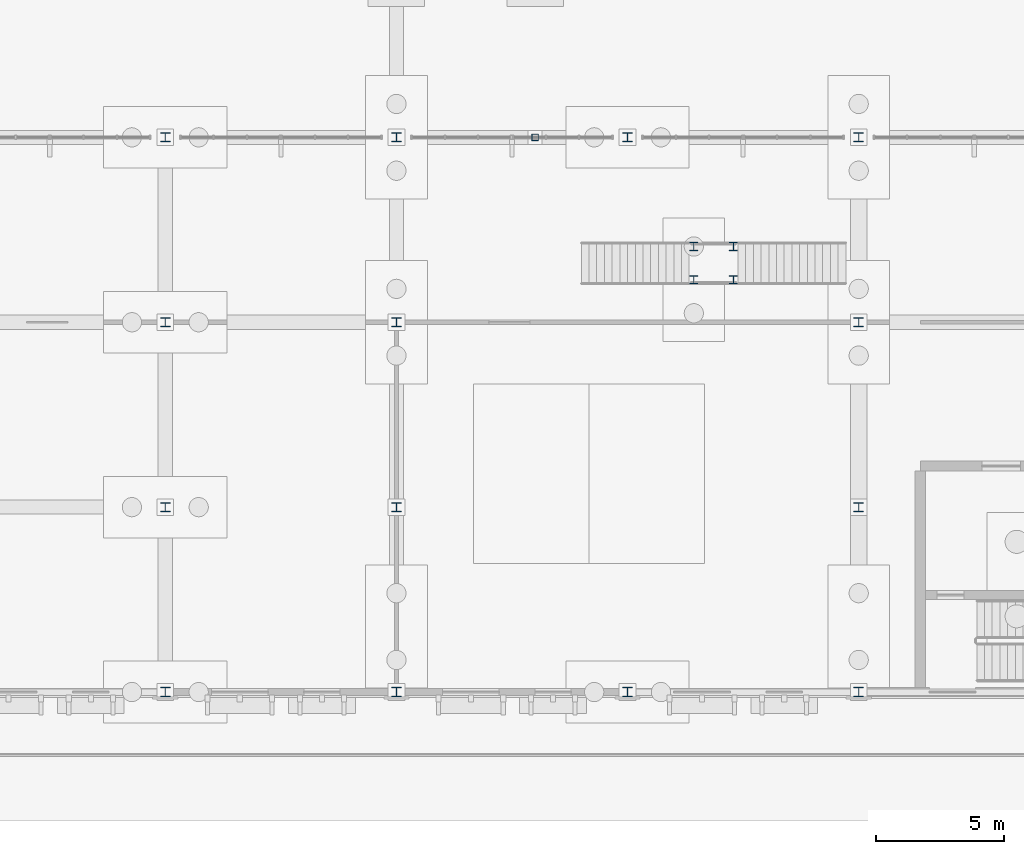
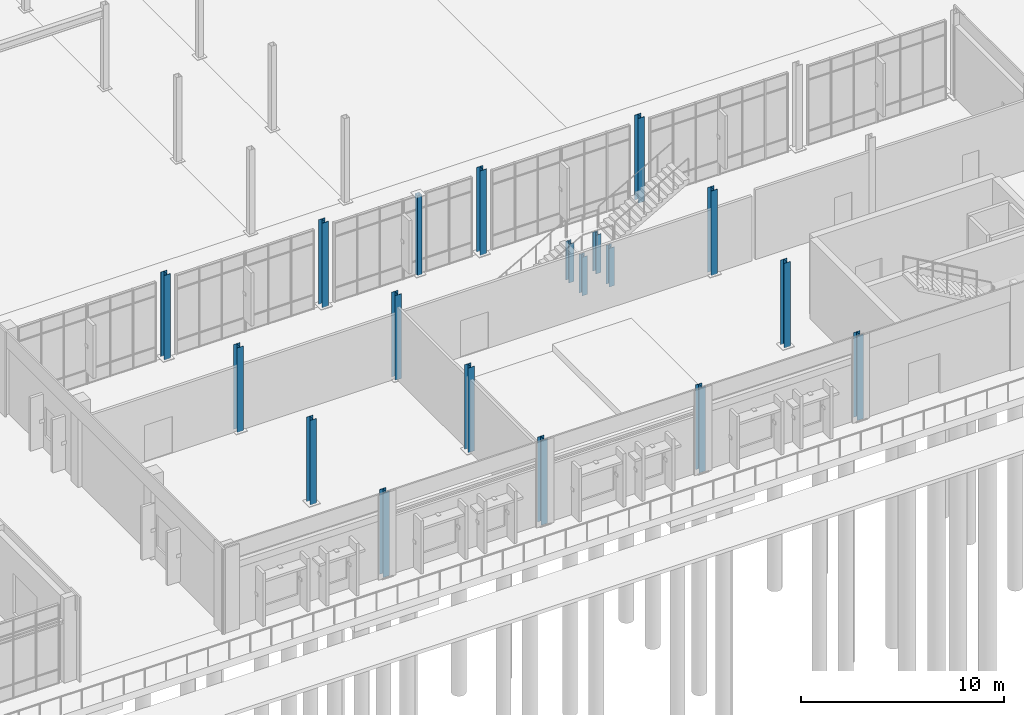
# One storey, part 21 of 94: 19 columns.
"""IFC4 building model written with IfcOpenShell, lengths in metres."""

from ifc_helpers import new_model, si_unit, direction, frame, origin, origin_2d, place, context, subcontext, project, spatial, hollow_rectangle, i_section, extrude, material, material_profile, profile_set, type_object, element, save


model = new_model("IFC4")

# Units and contexts
model_context = context("Model", 3, precision=1e-05, world=origin(), true_north=direction((0.0, 1.0)))
body_context = subcontext(model_context, "Body", "Model", "MODEL_VIEW")
ifc_project = project(units=[si_unit("LENGTHUNIT", "METRE"), si_unit("AREAUNIT", "SQUARE_METRE"), si_unit("VOLUMEUNIT", "CUBIC_METRE"), si_unit("PLANEANGLEUNIT", "RADIAN"), si_unit("MASSUNIT", "GRAM", prefix="KILO")], contexts=[model_context])

# Site, building, storey
site_placement = place(None, origin())
site = spatial("IfcSite", under=ifc_project, at=site_placement, CompositionType="ELEMENT")
building_placement = place(site_placement, origin())
building = spatial("IfcBuilding", under=site, at=building_placement, Name="Vervanel Yard Central Library", CompositionType="ELEMENT")
storey_placement = place(building_placement, origin())
storey = spatial("IfcBuildingStorey", under=building, at=storey_placement, Name="L00", CompositionType="ELEMENT", Elevation=0.0)

# Columns
ifc_material_1 = material(Name="Steel ASTM A500 Grade C", Category="steel")
ifc_material_profile_1 = material_profile(ifc_material_1, hollow_rectangle(XDim=0.25390625, YDim=0.25390625, WallThickness=0.01171875, at=origin_2d()), Name="HSS10X10X1/2", Category="steel")
ifc_profile_set_1 = profile_set([ifc_material_profile_1], Name="Steel ASTM A500 Grade C")
column_type_1 = type_object("IfcColumnType", Name="Steel Column HSS10X10X1/2", PredefinedType="COLUMN", material=ifc_profile_set_1)
column_placement = place(storey_placement, frame((77.39990234375, 21.60009765625, 0.0), z_axis=(0.0, 0.0, 1.0), x_axis=(1.0, 0.0, 0.0)))
element("IfcColumn", 1, at=column_placement, inside=storey, type_object=column_type_1, Name="L00 Steel Support Post SC-12 (77.4, 21.6)", PredefinedType="COLUMN", context=body_context, shape_type="SweptSolid", body=[
    extrude(hollow_rectangle(XDim=0.25390625, YDim=0.25390625, WallThickness=0.01171875, at=origin_2d()), origin(), (0.0, 0.0, 1.0), 4.800048828125),
])
ifc_material_2 = material(Name="Steel ASTM A992 Grade 50", Category="steel")
ifc_material_profile_2 = material_profile(ifc_material_2, i_section(OverallWidth=0.307373046875, OverallDepth=0.31494140625, WebThickness=0.011962890625, FlangeThickness=0.0185546875, at=origin_2d()), Name="W12X79", Category="steel")
ifc_profile_set_2 = profile_set([ifc_material_profile_2], Name="Steel ASTM A992 Grade 50")
column_type_2 = type_object("IfcColumnType", Name="Steel Column W12X79", PredefinedType="COLUMN", material=ifc_profile_set_2)
for number, where, z_axis, x_axis, name in (
    (2, (83.580078125, 16.050048828125, 0.0), (0.0, 0.0, 1.0), (1.0, 0.0, 0.0), "L00 Feature Stair FS-ST-06 Landing Post 13"),
    (3, (85.1201171875, 16.050048828125, 0.0), (0.0, 0.0, 1.0), (1.0, 0.0, 0.0), "L00 Feature Stair FS-ST-06 Landing Post 14"),
    (4, (83.580078125, 17.35009765625, 0.0), (0.0, 0.0, 1.0), (1.0, 0.0, 0.0), "L00 Feature Stair FS-ST-06 Landing Post 15"),
    (5, (85.1201171875, 17.35009765625, 0.0), (0.0, 0.0, 1.0), (1.0, 0.0, 0.0), "L00 Feature Stair FS-ST-06 Landing Post 16"),
):
    element("IfcColumn", number, at=place(storey_placement, frame(where, z_axis=z_axis, x_axis=x_axis)), inside=storey, type_object=column_type_2, Name=name, PredefinedType="COLUMN", context=body_context, shape_type="SweptSolid", body=[
        extrude(i_section(OverallWidth=0.307373046875, OverallDepth=0.31494140625, WebThickness=0.011962890625, FlangeThickness=0.0185546875, at=origin_2d()), origin(), (0.0, 0.0, 1.0), 2.330078125),
    ])
ifc_material_profile_3 = material_profile(ifc_material_2, i_section(OverallWidth=0.368408203125, OverallDepth=0.355712890625, WebThickness=0.01123046875, FlangeThickness=0.01806640625, at=origin_2d()), Name="W14X90", Category="steel")
ifc_profile_set_3 = profile_set([ifc_material_profile_3], Name="Steel ASTM A992 Grade 50")
column_type_3 = type_object("IfcColumnType", Name="Steel Column W14X90", PredefinedType="COLUMN", material=ifc_profile_set_3)
for number, where, z_axis, x_axis, name in (
    (6, (63.0, 0.0, 0.0), (0.0, 0.0, 1.0), (1.0, 0.0, 0.0), "L00 Steel Column W14X90 (63.0, 0.0)"),
    (7, (63.0, 7.199951171875, 0.0), (0.0, 0.0, 1.0), (1.0, 0.0, 0.0), "L00 Steel Column W14X90 (63.0, 7.2)"),
    (8, (63.0, 14.39990234375, 0.0), (0.0, 0.0, 1.0), (1.0, 0.0, 0.0), "L00 Steel Column W14X90 (63.0, 14.4)"),
    (9, (63.0, 21.60009765625, 0.0), (0.0, 0.0, 1.0), (1.0, 0.0, 0.0), "L00 Steel Column W14X90 (63.0, 21.6)"),
    (10, (72.0, 0.0, 0.0), (0.0, 0.0, 1.0), (1.0, 0.0, 0.0), "L00 Steel Column W14X90 (72.0, 0.0)"),
    (11, (72.0, 7.199951171875, 0.0), (0.0, 0.0, 1.0), (1.0, 0.0, 0.0), "L00 Steel Column W14X90 (72.0, 7.2)"),
    (12, (72.0, 14.39990234375, 0.0), (0.0, 0.0, 1.0), (1.0, 0.0, 0.0), "L00 Steel Column W14X90 (72.0, 14.4)"),
    (13, (72.0, 21.60009765625, 0.0), (0.0, 0.0, 1.0), (1.0, 0.0, 0.0), "L00 Steel Column W14X90 (72.0, 21.6)"),
    (14, (81.0, 0.0, 0.0), (0.0, 0.0, 1.0), (1.0, 0.0, 0.0), "L00 Steel Column W14X90 (81.0, 0.0)"),
    (15, (81.0, 21.60009765625, 0.0), (0.0, 0.0, 1.0), (1.0, 0.0, 0.0), "L00 Steel Column W14X90 (81.0, 21.6)"),
    (16, (90.0, 0.0, 0.0), (0.0, 0.0, 1.0), (1.0, 0.0, 0.0), "L00 Steel Column W14X90 (90.0, 0.0)"),
    (17, (90.0, 7.199951171875, 0.0), (0.0, 0.0, 1.0), (1.0, 0.0, 0.0), "L00 Steel Column W14X90 (90.0, 7.2)"),
    (18, (90.0, 14.39990234375, 0.0), (0.0, 0.0, 1.0), (1.0, 0.0, 0.0), "L00 Steel Column W14X90 (90.0, 14.4)"),
    (19, (90.0, 21.60009765625, 0.0), (0.0, 0.0, 1.0), (1.0, 0.0, 0.0), "L00 Steel Column W14X90 (90.0, 21.6)"),
):
    element("IfcColumn", number, at=place(storey_placement, frame(where, z_axis=z_axis, x_axis=x_axis)), inside=storey, type_object=column_type_3, Name=name, PredefinedType="COLUMN", context=body_context, shape_type="SweptSolid", body=[
        extrude(i_section(OverallWidth=0.368408203125, OverallDepth=0.355712890625, WebThickness=0.01123046875, FlangeThickness=0.01806640625, at=origin_2d()), origin(), (0.0, 0.0, 1.0), 5.10009765625),
    ])

save(model, "model.ifc")
